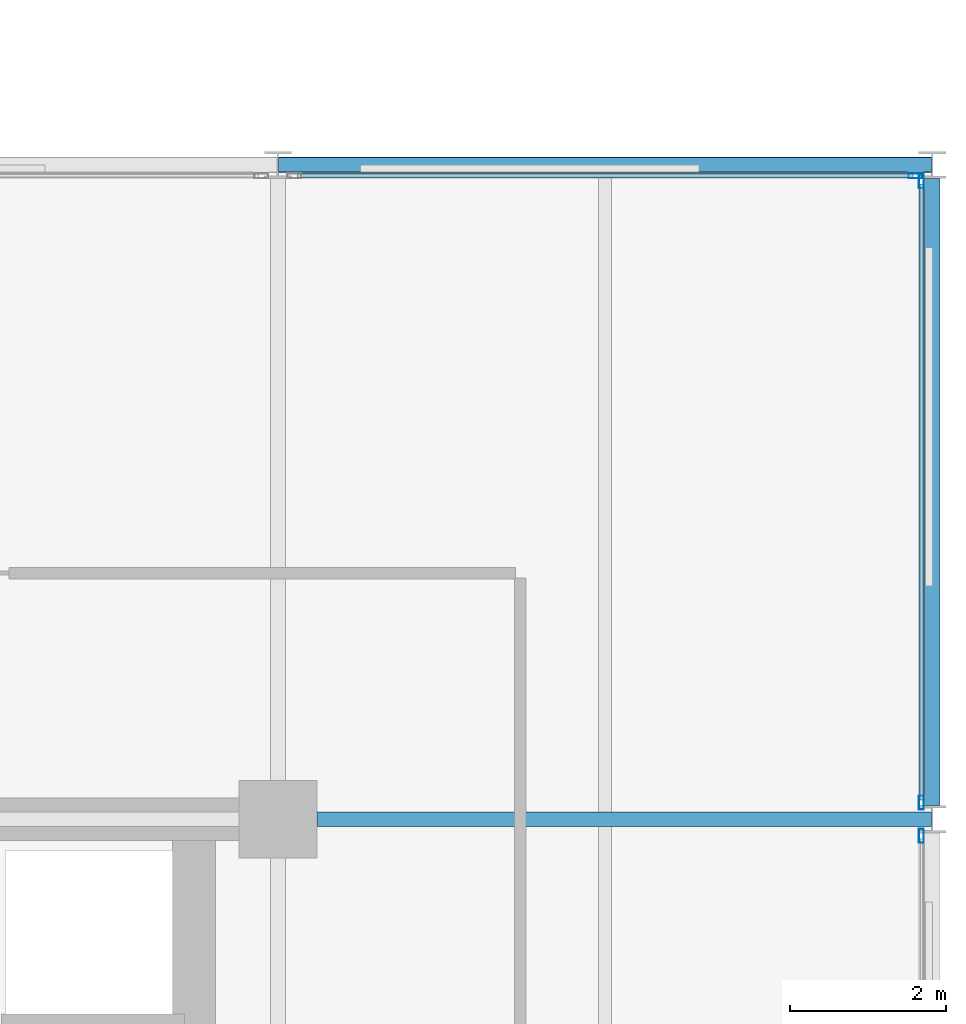
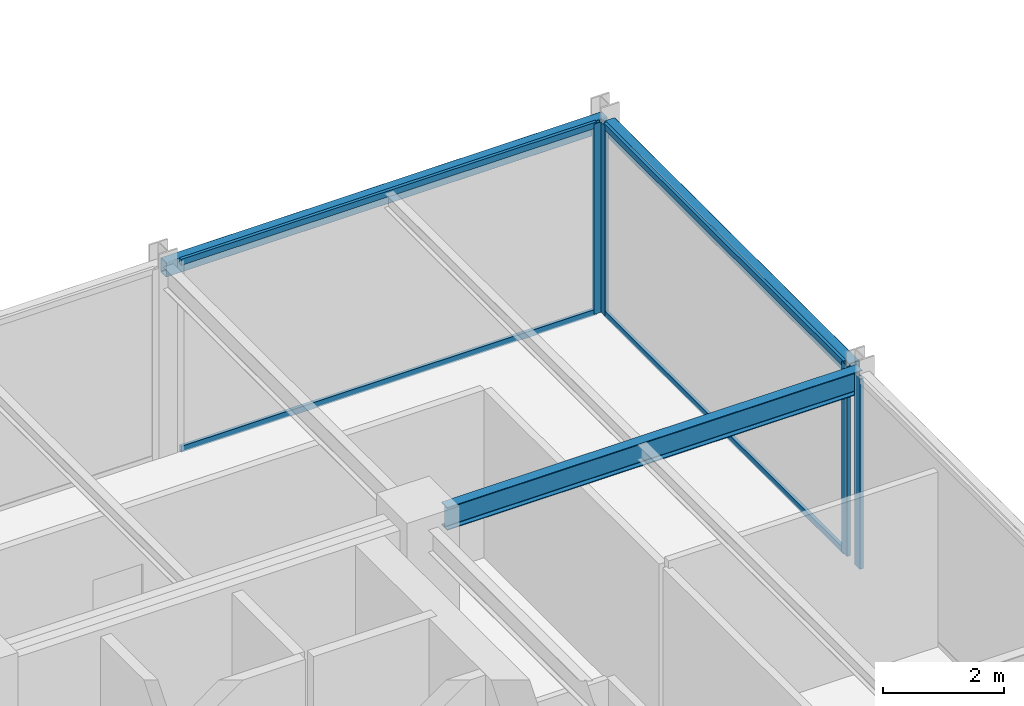
# One storey, part 16 of 29: 8 members, 3 beams, 3 elements without a shape of their own.
"""IFC4 building model written with IfcOpenShell, lengths in metres."""

from ifc_helpers import new_model, si_unit, direction, frame, origin, origin_2d, place, context, subcontext, project, spatial, hollow_rectangle, i_section, extrude, material, layer, layer_set, material_profile, profile_set, type_object, element, aggregate, save


model = new_model("IFC4")

# Units and contexts
model_context = context("Model", 3, precision=1e-05, world=origin(), true_north=direction((0.0, 1.0)))
body_context = subcontext(model_context, "Body", "Model", "MODEL_VIEW")
ifc_project = project(units=[si_unit("LENGTHUNIT", "METRE"), si_unit("AREAUNIT", "SQUARE_METRE"), si_unit("VOLUMEUNIT", "CUBIC_METRE"), si_unit("PLANEANGLEUNIT", "RADIAN"), si_unit("MASSUNIT", "GRAM", prefix="KILO")], contexts=[model_context])

# Site, building, storey
site_placement = place(None, origin())
site = spatial("IfcSite", under=ifc_project, at=site_placement, CompositionType="ELEMENT")
building_placement = place(site_placement, origin())
building = spatial("IfcBuilding", under=site, at=building_placement, Name="Nerrivon Quay Data Exchange", CompositionType="ELEMENT")
storey_placement = place(building_placement, frame((0.0, 0.0, 208.300048828125)))
storey = spatial("IfcBuildingStorey", under=building, at=storey_placement, Name="L49", CompositionType="ELEMENT", Elevation=208.300048828125)

# Beams
ifc_material_1 = material(Name="Steel Grade 350", Category="steel")
ifc_material_profile_1 = material_profile(ifc_material_1, i_section(OverallWidth=0.19091796875, OverallDepth=0.4599609375, WebThickness=0.010009765625, FlangeThickness=0.01611328125, FilletRadius=0.011474609375, at=origin_2d()), Name="460UB82.1")
ifc_profile_set_1 = profile_set([ifc_material_profile_1], Name="Steel Grade 350")
beam_type_1 = type_object("IfcBeamType", Name="BM-G5-460UB82", PredefinedType="BEAM", material=ifc_profile_set_1)
beam_1_placement = place(storey_placement, frame((34.10009765625, 16.800048828125, 3.594970703125), z_axis=(1.0, 0.0, 0.0), x_axis=(0.0, 1.0, 0.0)))
element("IfcBeam", 1, at=beam_1_placement, inside=storey, type_object=beam_type_1, Name="L49 EW Girder Y=16.8 (33.6..42.0)", PredefinedType="BEAM", context=body_context, shape_type="SweptSolid", body=[
    extrude(i_section(OverallWidth=0.19091796875, OverallDepth=0.4599609375, WebThickness=0.010009765625, FlangeThickness=0.01611328125, FilletRadius=0.011474609375, at=origin_2d()), origin(), (0.0, 0.0, 1.0), 7.889892578125),
])
ifc_material_2 = material(Name="Steel Grade C350L0 (350 MPa)", Category="steel")
ifc_material_profile_2 = material_profile(ifc_material_2, hollow_rectangle(XDim=0.199951171875, YDim=0.300048828125, WallThickness=0.012451171875, InnerFilletRadius=0.018798828125, OuterFilletRadius=0.03125, at=origin_2d()), Name="300x200x12.5RHS")
ifc_profile_set_2 = profile_set([ifc_material_profile_2], Name="Steel Grade C350L0 (350 MPa)")
beam_type_2 = type_object("IfcBeamType", Name="BM-SP3-300x200RHS", PredefinedType="SPANDREL", material=ifc_profile_set_2)
beam_2_placement = place(storey_placement, frame((33.610107421875, 25.199951171875, 3.675048828125), z_axis=(1.0, 0.0, 0.0), x_axis=(0.0, 1.0, 0.0)))
element("IfcBeam", 2, at=beam_2_placement, inside=storey, type_object=beam_type_2, Name="L49 EW Girder Y=25.2 (33.6..42.0)", PredefinedType="SPANDREL", context=body_context, shape_type="SweptSolid", body=[
    extrude(hollow_rectangle(XDim=0.199951171875, YDim=0.300048828125, WallThickness=0.012451171875, InnerFilletRadius=0.018798828125, OuterFilletRadius=0.03125, at=origin_2d()), origin(), (0.0, 0.0, 1.0), 8.3798828125),
])
beam_3_placement = place(storey_placement, frame((42.0, 16.97509765625, 3.675048828125), z_axis=(0.0, 1.0, 0.0), x_axis=(-1.0, 0.0, 0.0)))
element("IfcBeam", 3, at=beam_3_placement, inside=storey, type_object=beam_type_2, Name="L49 NS Girder X=42.0 (16.8..25.2)", PredefinedType="SPANDREL", context=body_context, shape_type="SweptSolid", body=[
    extrude(hollow_rectangle(XDim=0.199951171875, YDim=0.300048828125, WallThickness=0.012451171875, InnerFilletRadius=0.018798828125, OuterFilletRadius=0.03125, at=origin_2d()), origin(), (0.0, 0.0, 1.0), 8.0498046875),
])

# Curtain wall, member
ifc_material_3 = material(Name="Anodised aluminium 6063-T6", Category="aluminium")
ifc_layer = layer(ifc_material_3, 0.195068359375)
ifc_layer_set = layer_set([ifc_layer], Name="Anodised aluminium 6063-T6")
curtain_wall_type = type_object("IfcCurtainWallType", Name="CW-SYS-06", PredefinedType="NOTDEFINED", material=ifc_layer_set)
curtain_wall_1_placement = place(storey_placement, origin())
curtain_wall_1 = element("IfcCurtainWall", 4, at=curtain_wall_1_placement, inside=storey, type_object=curtain_wall_type, Name="L49 Unitised Curtain Wall 17", PredefinedType="NOTDEFINED")
ifc_material_profile_3 = material_profile(ifc_material_3, hollow_rectangle(XDim=0.06494140625, YDim=0.179931640625, WallThickness=0.00341796875, at=origin_2d()), Name="ALU-MULL-180x65")
ifc_profile_set_3 = profile_set([ifc_material_profile_3], Name="Anodised aluminium 6063-T6")
member_type_1 = type_object("IfcMemberType", Name="CWM-180x65", PredefinedType="MULLION", material=ifc_profile_set_3)
member_1_placement = place(storey_placement, frame((41.78759765625, 25.06005859375, 0.0), z_axis=(0.0, 0.0, 1.0), x_axis=(0.0, 1.0, 0.0)))
member_1 = element("IfcMember", 5, at=member_1_placement, type_object=member_type_1, Name="CW06 mullion 2", PredefinedType="MULLION", context=body_context, shape_type="SweptSolid", body=[
    extrude(hollow_rectangle(XDim=0.06494140625, YDim=0.179931640625, WallThickness=0.00341796875, at=origin_2d()), origin(), (0.0, 0.0, 1.0), 3.824951171875),
])

# Curtain wall, members
curtain_wall_2_placement = place(storey_placement, origin())
curtain_wall_2 = element("IfcCurtainWall", 6, at=curtain_wall_2_placement, inside=storey, type_object=curtain_wall_type, Name="L49 Unitised Curtain Wall 18", PredefinedType="NOTDEFINED")
member_2_placement = place(storey_placement, frame((41.860107421875, 24.987548828125, 0.0), z_axis=(0.0, 0.0, 1.0), x_axis=(1.0, 0.0, 0.0)))
member_2 = element("IfcMember", 7, at=member_2_placement, type_object=member_type_1, Name="CW06 mullion 1", PredefinedType="MULLION", context=body_context, shape_type="SweptSolid", body=[
    extrude(hollow_rectangle(XDim=0.06494140625, YDim=0.179931640625, WallThickness=0.00341796875, at=origin_2d()), origin(), (0.0, 0.0, 1.0), 3.824951171875),
])
member_3_placement = place(storey_placement, frame((41.860107421875, 17.012451171875, 0.0), z_axis=(0.0, 0.0, 1.0), x_axis=(1.0, 0.0, 0.0)))
member_3 = element("IfcMember", 8, at=member_3_placement, type_object=member_type_1, Name="CW06 mullion 2", PredefinedType="MULLION", context=body_context, shape_type="SweptSolid", body=[
    extrude(hollow_rectangle(XDim=0.06494140625, YDim=0.179931640625, WallThickness=0.00341796875, at=origin_2d()), origin(), (0.0, 0.0, 1.0), 3.824951171875),
])

# Curtain wall, member
curtain_wall_3_placement = place(storey_placement, origin())
curtain_wall_3 = element("IfcCurtainWall", 9, at=curtain_wall_3_placement, inside=storey, type_object=curtain_wall_type, Name="L49 Unitised Curtain Wall 19", PredefinedType="NOTDEFINED")
member_4_placement = place(storey_placement, frame((41.860107421875, 16.58740234375, 0.0), z_axis=(0.0, 0.0, 1.0), x_axis=(1.0, 0.0, 0.0)))
member_4 = element("IfcMember", 10, at=member_4_placement, type_object=member_type_1, Name="CW06 mullion 1", PredefinedType="MULLION", context=body_context, shape_type="SweptSolid", body=[
    extrude(hollow_rectangle(XDim=0.06494140625, YDim=0.179931640625, WallThickness=0.00341796875, at=origin_2d()), origin(), (0.0, 0.0, 1.0), 3.824951171875),
])
aggregate(curtain_wall_3, [member_4])

# Member
ifc_material_profile_4 = material_profile(ifc_material_3, hollow_rectangle(XDim=0.06005859375, YDim=0.1201171875, WallThickness=0.003173828125, at=origin_2d()), Name="ALU-TRAN-120x60")
ifc_profile_set_4 = profile_set([ifc_material_profile_4], Name="Anodised aluminium 6063-T6")
member_type_2 = type_object("IfcMemberType", Name="CWT-120x60", PredefinedType="USERDEFINED", material=ifc_profile_set_4)
member_5_placement = place(storey_placement, frame((33.85009765625, 25.06005859375, 0.032470703125), z_axis=(1.0, 0.0, 0.0), x_axis=(0.0, 1.0, 0.0)))
member_5 = element("IfcMember", 11, at=member_5_placement, type_object=member_type_2, Name="CW06 transom 1.1", ObjectType="TRANSOM", PredefinedType="USERDEFINED", context=body_context, shape_type="SweptSolid", body=[
    extrude(hollow_rectangle(XDim=0.06005859375, YDim=0.1201171875, WallThickness=0.003173828125, at=origin_2d()), origin(), (0.0, 0.0, 1.0), 7.89990234375),
])

member_6_placement = place(storey_placement, frame((33.85009765625, 25.06005859375, 3.79248046875), z_axis=(1.0, 0.0, 0.0), x_axis=(0.0, 1.0, 0.0)))
member_6 = element("IfcMember", 12, at=member_6_placement, type_object=member_type_2, Name="CW06 transom 1.2", ObjectType="TRANSOM", PredefinedType="USERDEFINED", context=body_context, shape_type="SweptSolid", body=[
    extrude(hollow_rectangle(XDim=0.06005859375, YDim=0.1201171875, WallThickness=0.003173828125, at=origin_2d()), origin(), (0.0, 0.0, 1.0), 7.89990234375),
])

aggregate(curtain_wall_1, [member_1, member_5, member_6])

member_7_placement = place(storey_placement, frame((41.860107421875, 24.949951171875, 0.032470703125), z_axis=(0.0, -1.0, 0.0), x_axis=(1.0, 0.0, 0.0)))
member_7 = element("IfcMember", 13, at=member_7_placement, type_object=member_type_2, Name="CW06 transom 1.1", ObjectType="TRANSOM", PredefinedType="USERDEFINED", context=body_context, shape_type="SweptSolid", body=[
    extrude(hollow_rectangle(XDim=0.06005859375, YDim=0.1201171875, WallThickness=0.003173828125, at=origin_2d()), origin(), (0.0, 0.0, 1.0), 7.89990234375),
])

member_8_placement = place(storey_placement, frame((41.860107421875, 24.949951171875, 3.79248046875), z_axis=(0.0, -1.0, 0.0), x_axis=(1.0, 0.0, 0.0)))
member_8 = element("IfcMember", 14, at=member_8_placement, type_object=member_type_2, Name="CW06 transom 1.2", ObjectType="TRANSOM", PredefinedType="USERDEFINED", context=body_context, shape_type="SweptSolid", body=[
    extrude(hollow_rectangle(XDim=0.06005859375, YDim=0.1201171875, WallThickness=0.003173828125, at=origin_2d()), origin(), (0.0, 0.0, 1.0), 7.89990234375),
])

aggregate(curtain_wall_2, [member_2, member_3, member_7, member_8])

save(model, "model.ifc")
